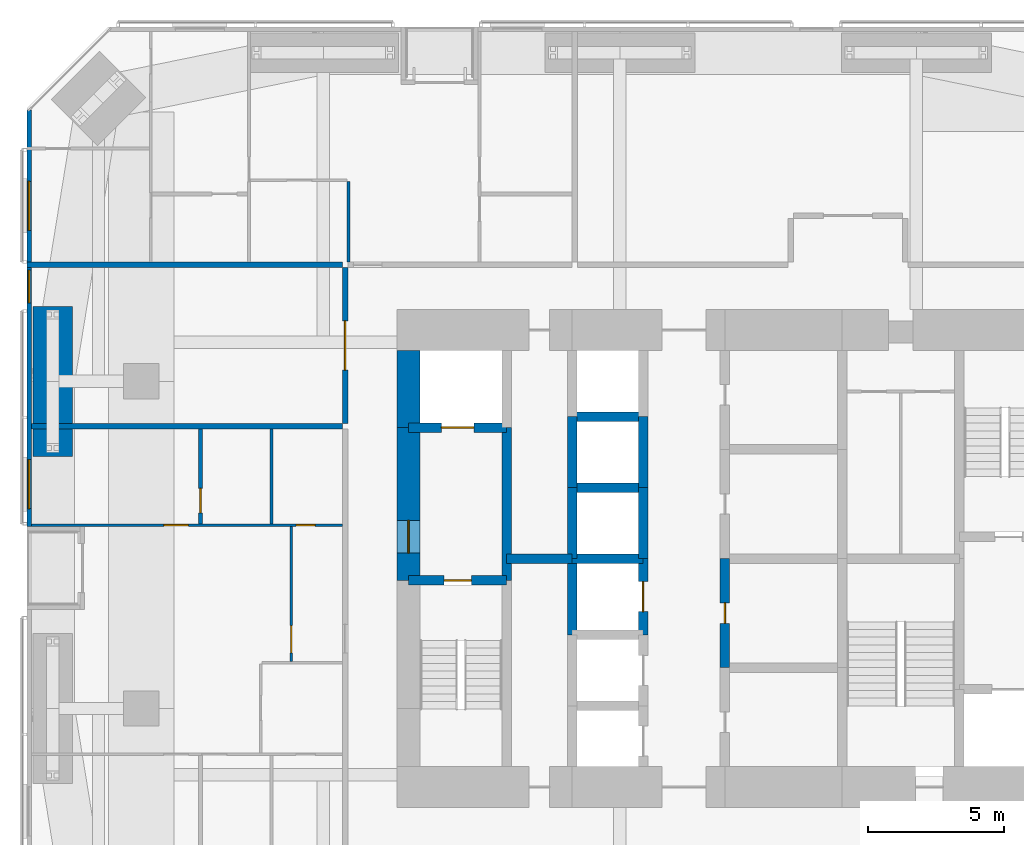
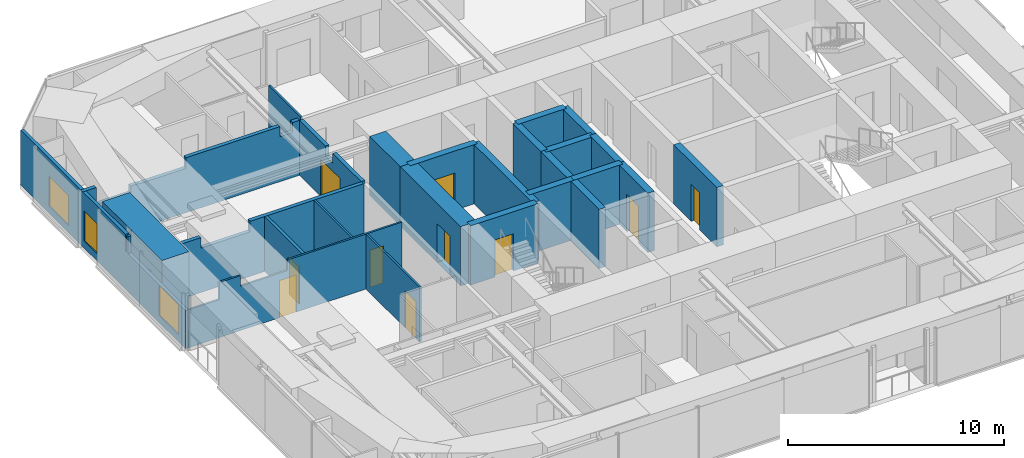
# One storey, part 19 of 24: 26 walls, 10 doors, 3 windows, 13 openings.
"""IFC4 building model written with IfcOpenShell, lengths in metres."""

from ifc_helpers import new_model, si_unit, direction, frame, frame_2d, origin, place, context, subcontext, project, spatial, polyline, rectangle, outline, extrude, material, layer, layer_set, constituent, constituent_set, type_object, element, fill, save


model = new_model("IFC4")

# Units and contexts
model_context = context("Model", 3, precision=1e-05, world=origin(), true_north=direction((0.0, 1.0)))
body_context = subcontext(model_context, "Body", "Model", "MODEL_VIEW")
ifc_project = project(units=[si_unit("LENGTHUNIT", "METRE"), si_unit("AREAUNIT", "SQUARE_METRE"), si_unit("VOLUMEUNIT", "CUBIC_METRE"), si_unit("PLANEANGLEUNIT", "RADIAN"), si_unit("MASSUNIT", "GRAM", prefix="KILO")], contexts=[model_context])

# Site, building, storey
site_placement = place(None, origin())
site = spatial("IfcSite", under=ifc_project, at=site_placement, CompositionType="ELEMENT")
building_placement = place(site_placement, origin())
building = spatial("IfcBuilding", under=site, at=building_placement, Name="Jalousie Tower", CompositionType="ELEMENT")
storey_placement = place(building_placement, frame((0.0, 0.0, 135.0)))
storey = spatial("IfcBuildingStorey", under=building, at=storey_placement, Name="L37", CompositionType="ELEMENT", Elevation=135.0)

# Wall, opening, door
ifc_material_1 = material(Name="Concrete block ASTM C90", Category="concrete")
ifc_constituent_1 = constituent(ifc_material_1, Name="Body")
ifc_material_2 = material(Name="Render")
ifc_constituent_2 = constituent(ifc_material_2, Name="Finish")
ifc_constituent_set_1 = constituent_set(constituents=[ifc_constituent_1, ifc_constituent_2])
wall_type_1 = type_object("IfcWallType", Name="BATHROOM WALL 150", PredefinedType="PLUMBINGWALL", material=ifc_constituent_set_1)
wall_1_placement = place(storey_placement, frame((12.375, 19.77490234375, 0.0), z_axis=(0.0, 0.0, 1.0), x_axis=(0.0, 1.0, 0.0)))
wall_1 = element("IfcWall", 1, at=wall_1_placement, inside=storey, type_object=wall_type_1, Name="Bathroom Wall 150 L37", PredefinedType="PLUMBINGWALL", context=body_context, shape_type="SweptSolid", body=[
    extrude(rectangle(XDim=3.47509765625, YDim=0.14990234375, at=frame_2d((1.737548828125, 0.0))), origin(), (0.0, 0.0, 1.0), 3.110107421875),
])
opening_1_placement = place(wall_1_placement, frame((0.39990234375, 0.0, 0.0)))
opening_1 = element("IfcOpeningElement", 2, at=opening_1_placement, cuts=wall_1, Name="Opening D3", PredefinedType="OPENING", context=body_context, shape_type="SweptSolid", body=[
    extrude(rectangle(XDim=0.89990234375, YDim=2.10009765625, at=frame_2d((0.449951171875, 1.050048828125))), frame((0.0, 0.0849609375, 0.0), z_axis=(0.0, -1.0, 0.0), x_axis=(1.0, 0.0, 0.0)), (0.0, 0.0, 1.0), 0.169921875),
])
ifc_material_3 = material(Name="Timber door", Category="wood")
door_type_1 = type_object("IfcDoorType", Name="BATHROOM DOOR 900", OperationType="SINGLE_SWING_LEFT", PredefinedType="DOOR", material=ifc_material_3)
door_1_placement = place(opening_1_placement, frame((0.89990234375, 0.0, 0.0), z_axis=(0.0, 0.0, 1.0), x_axis=(-1.0, 0.0, 0.0)))
door_1 = element("IfcDoor", 3, at=door_1_placement, inside=storey, type_object=door_type_1, Name="Apartment 3704 bedroom 2 bathroom door", OperationType="SINGLE_SWING_RIGHT", OverallHeight=2.10009765625, OverallWidth=0.89990234375, PredefinedType="DOOR", context=body_context, shape_type="SweptSolid", body=[
    extrude(rectangle(XDim=0.89990234375, YDim=2.10009765625, at=frame_2d((0.449951171875, 1.050048828125))), frame((0.0, 0.02490234375, 0.0), z_axis=(0.0, -1.0, 0.0), x_axis=(1.0, 0.0, 0.0)), (0.0, 0.0, 1.0), 0.050048828125),
])
fill(opening_1, door_1)

# Walls
ifc_material_4 = material(Name="Concrete f'c 120 MPa", Category="concrete")
ifc_layer_1 = layer(ifc_material_4, 0.35009765625)
ifc_layer_set_1 = layer_set([ifc_layer_1], Name="Concrete f'c 120 MPa")
wall_type_2 = type_object("IfcWallType", Name="CORE WALL 350", PredefinedType="SHEAR", material=ifc_layer_set_1)
wall_2_placement = place(storey_placement, frame((23.60009765625, 17.699951171875, 0.0), z_axis=(0.0, 0.0, 1.0), x_axis=(0.0, 1.0, 0.0)))
element("IfcWall", 4, at=wall_2_placement, inside=storey, type_object=wall_type_2, Name="Core wall X23.6B L37", PredefinedType="SHEAR", context=body_context, shape_type="SweptSolid", body=[
    extrude(rectangle(XDim=5.60009765625, YDim=0.35009765625, at=frame_2d((2.800048828125, 0.0))), origin(), (0.0, 0.0, 1.0), 3.35009765625),
])
wall_3_placement = place(storey_placement, frame((26.0, 15.699951171875, 0.0), z_axis=(0.0, 0.0, 1.0), x_axis=(0.0, 1.0, 0.0)))
element("IfcWall", 5, at=wall_3_placement, inside=storey, type_object=wall_type_2, Name="Core wall X26C L37", PredefinedType="SHEAR", context=body_context, shape_type="SweptSolid", body=[
    extrude(rectangle(XDim=2.800048828125, YDim=0.35009765625, at=frame_2d((1.39990234375, 0.0))), origin(), (0.0, 0.0, 1.0), 3.35009765625),
])
wall_4_placement = place(storey_placement, frame((26.0, 18.5, 0.0), z_axis=(0.0, 0.0, 1.0), x_axis=(0.0, 1.0, 0.0)))
element("IfcWall", 6, at=wall_4_placement, inside=storey, type_object=wall_type_2, Name="Core wall X26D L37", PredefinedType="SHEAR", context=body_context, shape_type="SweptSolid", body=[
    extrude(rectangle(XDim=2.60009765625, YDim=0.35009765625, at=frame_2d((1.300048828125, 0.0))), origin(), (0.0, 0.0, 1.0), 3.35009765625),
])
wall_5_placement = place(storey_placement, frame((26.0, 21.10009765625, 0.0), z_axis=(0.0, 0.0, 1.0), x_axis=(0.0, 1.0, 0.0)))
element("IfcWall", 7, at=wall_5_placement, inside=storey, type_object=wall_type_2, Name="Core wall X26E L37", PredefinedType="SHEAR", context=body_context, shape_type="SweptSolid", body=[
    extrude(rectangle(XDim=2.599853515625, YDim=0.35009765625, at=frame_2d((1.2998046875, 0.0))), origin(), (0.0, 0.0, 1.0), 3.35009765625),
])

# Wall, opening, door
wall_6_placement = place(storey_placement, frame((28.60009765625, 15.699951171875, 0.0), z_axis=(0.0, 0.0, 1.0), x_axis=(0.0, 1.0, 0.0)))
wall_6 = element("IfcWall", 8, at=wall_6_placement, inside=storey, type_object=wall_type_2, Name="Core wall X28.6C L37", PredefinedType="SHEAR", context=body_context, shape_type="SweptSolid", body=[
    extrude(rectangle(XDim=2.800048828125, YDim=0.35009765625, at=frame_2d((1.39990234375, 0.0))), origin(), (0.0, 0.0, 1.0), 3.35009765625),
])
opening_2_placement = place(wall_6_placement, frame((0.85009765625, 0.0, 0.0)))
opening_2 = element("IfcOpeningElement", 9, at=opening_2_placement, cuts=wall_6, Name="Opening LD1", PredefinedType="OPENING", context=body_context, shape_type="SweptSolid", body=[
    extrude(rectangle(XDim=1.10009765625, YDim=2.10009765625, at=frame_2d((0.550048828125, 1.050048828125))), frame((0.0, 0.18505859375, 0.0), z_axis=(0.0, -1.0, 0.0), x_axis=(1.0, 0.0, 0.0)), (0.0, 0.0, 1.0), 0.3701171875),
])
ifc_material_5 = material(Name="Steel lift landing door", Category="steel")
door_type_2 = type_object("IfcDoorType", Name="LIFT LANDING DOOR 1100", OperationType="SLIDING_TO_LEFT", PredefinedType="DOOR", material=ifc_material_5)
door_2_placement = place(opening_2_placement, origin())
door_2 = element("IfcDoor", 10, at=door_2_placement, inside=storey, type_object=door_type_2, Name="Lift P3 landing door", OperationType="SLIDING_TO_LEFT", OverallHeight=2.10009765625, OverallWidth=1.10009765625, PredefinedType="DOOR", context=body_context, shape_type="SweptSolid", body=[
    extrude(rectangle(XDim=1.10009765625, YDim=2.10009765625, at=frame_2d((0.550048828125, 1.050048828125))), frame((0.0, 0.02490234375, 0.0), z_axis=(0.0, -1.0, 0.0), x_axis=(1.0, 0.0, 0.0)), (0.0, 0.0, 1.0), 0.050048828125),
])
fill(opening_2, door_2)

# Walls
wall_7_placement = place(storey_placement, frame((28.60009765625, 18.5, 0.0), z_axis=(0.0, 0.0, 1.0), x_axis=(0.0, 1.0, 0.0)))
element("IfcWall", 11, at=wall_7_placement, inside=storey, type_object=wall_type_2, Name="Core wall X28.6D L37", PredefinedType="SHEAR", context=body_context, shape_type="SweptSolid", body=[
    extrude(rectangle(XDim=2.60009765625, YDim=0.35009765625, at=frame_2d((1.300048828125, 0.0))), origin(), (0.0, 0.0, 1.0), 3.35009765625),
])
wall_8_placement = place(storey_placement, frame((28.60009765625, 21.10009765625, 0.0), z_axis=(0.0, 0.0, 1.0), x_axis=(0.0, 1.0, 0.0)))
element("IfcWall", 12, at=wall_8_placement, inside=storey, type_object=wall_type_2, Name="Core wall X28.6E L37", PredefinedType="SHEAR", context=body_context, shape_type="SweptSolid", body=[
    extrude(rectangle(XDim=2.599853515625, YDim=0.35009765625, at=frame_2d((1.2998046875, 0.0))), origin(), (0.0, 0.0, 1.0), 3.35009765625),
])

# Wall, opening, door
wall_9_placement = place(storey_placement, frame((31.60009765625, 14.5, 0.0), z_axis=(0.0, 0.0, 1.0), x_axis=(0.0, 1.0, 0.0)))
wall_9 = element("IfcWall", 13, at=wall_9_placement, inside=storey, type_object=wall_type_2, Name="Core wall X31.6B L37", PredefinedType="SHEAR", context=body_context, shape_type="SweptSolid", body=[
    extrude(rectangle(XDim=4.0, YDim=0.35009765625, at=frame_2d((2.0, 0.0))), origin(), (0.0, 0.0, 1.0), 3.35009765625),
])
opening_3_placement = place(wall_9_placement, frame((1.625, 0.0, 0.0)))
opening_3 = element("IfcOpeningElement", 14, at=opening_3_placement, cuts=wall_9, Name="Opening D16", PredefinedType="OPENING", context=body_context, shape_type="SweptSolid", body=[
    extrude(rectangle(XDim=0.75, YDim=2.10009765625, at=frame_2d((0.375, 1.050048828125))), frame((0.0, 0.18505859375, 0.0), z_axis=(0.0, -1.0, 0.0), x_axis=(1.0, 0.0, 0.0)), (0.0, 0.0, 1.0), 0.3701171875),
])
ifc_material_6 = material(Name="Steel fire door", Category="steel")
door_type_3 = type_object("IfcDoorType", Name="RISER DOOR 750", OperationType="SINGLE_SWING_LEFT", PredefinedType="DOOR", material=ifc_material_6)
door_3_placement = place(opening_3_placement, frame((0.75, 0.0, 0.0), z_axis=(0.0, 0.0, 1.0), x_axis=(-1.0, 0.0, 0.0)))
door_3 = element("IfcDoor", 15, at=door_3_placement, inside=storey, type_object=door_type_3, Name="Electrical Room door", OperationType="SINGLE_SWING_RIGHT", OverallHeight=2.10009765625, OverallWidth=0.75, PredefinedType="DOOR", context=body_context, shape_type="SweptSolid", body=[
    extrude(rectangle(XDim=0.75, YDim=2.10009765625, at=frame_2d((0.375, 1.050048828125))), frame((0.0, 0.02490234375, 0.0), z_axis=(0.0, -1.0, 0.0), x_axis=(1.0, 0.0, 0.0)), (0.0, 0.0, 1.0), 0.050048828125),
])
fill(opening_3, door_3)

wall_10_placement = place(storey_placement, frame((20.0, 17.699951171875, 0.0), z_axis=(0.0, 0.0, 1.0), x_axis=(1.0, 0.0, 0.0)))
wall_10 = element("IfcWall", 16, at=wall_10_placement, inside=storey, type_object=wall_type_2, Name="Core wall Y20-17.7 L37", PredefinedType="SHEAR", context=body_context, shape_type="SweptSolid", body=[
    extrude(rectangle(XDim=3.60009765625, YDim=0.35009765625, at=frame_2d((1.800048828125, 0.0))), origin(), (0.0, 0.0, 1.0), 3.35009765625),
])
opening_4_placement = place(wall_10_placement, frame((1.300048828125, 0.0, 0.0)))
opening_4 = element("IfcOpeningElement", 17, at=opening_4_placement, cuts=wall_10, Name="Opening D10", PredefinedType="OPENING", context=body_context, shape_type="SweptSolid", body=[
    extrude(rectangle(XDim=1.0, YDim=2.10009765625, at=frame_2d((0.5, 1.050048828125))), frame((0.0, 0.18505859375, 0.0), z_axis=(0.0, -1.0, 0.0), x_axis=(1.0, 0.0, 0.0)), (0.0, 0.0, 1.0), 0.3701171875),
])
ifc_material_7 = material(Name="Steel fire door", Category="steel")
door_type_4 = type_object("IfcDoorType", Name="STAIR DOOR 1000", OperationType="SINGLE_SWING_LEFT", PredefinedType="DOOR", material=ifc_material_7)
door_4_placement = place(opening_4_placement, frame((1.0, 0.0, 0.0), z_axis=(0.0, 0.0, 1.0), x_axis=(-1.0, 0.0, 0.0)))
door_4 = element("IfcDoor", 18, at=door_4_placement, inside=storey, type_object=door_type_4, Name="Exit stair A door", OperationType="SINGLE_SWING_RIGHT", OverallHeight=2.10009765625, OverallWidth=1.0, PredefinedType="DOOR", context=body_context, shape_type="SweptSolid", body=[
    extrude(rectangle(XDim=1.0, YDim=2.10009765625, at=frame_2d((0.5, 1.050048828125))), frame((0.0, 0.02490234375, 0.0), z_axis=(0.0, -1.0, 0.0), x_axis=(1.0, 0.0, 0.0)), (0.0, 0.0, 1.0), 0.050048828125),
])
fill(opening_4, door_4)

wall_11_placement = place(storey_placement, frame((20.0, 23.300048828125, 0.0), z_axis=(0.0, 0.0, 1.0), x_axis=(1.0, 0.0, 0.0)))
wall_11 = element("IfcWall", 19, at=wall_11_placement, inside=storey, type_object=wall_type_2, Name="Core wall Y20-23.3 L37", PredefinedType="SHEAR", context=body_context, shape_type="SweptSolid", body=[
    extrude(rectangle(XDim=3.60009765625, YDim=0.35009765625, at=frame_2d((1.800048828125, 0.0))), origin(), (0.0, 0.0, 1.0), 3.35009765625),
])
opening_5_placement = place(wall_11_placement, frame((1.199951171875, 0.0, 0.0)))
opening_5 = element("IfcOpeningElement", 20, at=opening_5_placement, cuts=wall_11, Name="Opening LD2", PredefinedType="OPENING", context=body_context, shape_type="SweptSolid", body=[
    extrude(rectangle(XDim=1.199951171875, YDim=2.10009765625, at=frame_2d((0.60009765625, 1.050048828125))), frame((0.0, 0.18505859375, 0.0), z_axis=(0.0, -1.0, 0.0), x_axis=(1.0, 0.0, 0.0)), (0.0, 0.0, 1.0), 0.3701171875),
])
ifc_material_8 = material(Name="Steel lift landing door", Category="steel")
door_type_5 = type_object("IfcDoorType", Name="LIFT LANDING DOOR 1200", OperationType="SLIDING_TO_LEFT", PredefinedType="DOOR", material=ifc_material_8)
door_5_placement = place(opening_5_placement, origin())
door_5 = element("IfcDoor", 21, at=door_5_placement, inside=storey, type_object=door_type_5, Name="Lift F1 landing door", OperationType="SLIDING_TO_LEFT", OverallHeight=2.10009765625, OverallWidth=1.199951171875, PredefinedType="DOOR", context=body_context, shape_type="SweptSolid", body=[
    extrude(rectangle(XDim=1.199951171875, YDim=2.10009765625, at=frame_2d((0.60009765625, 1.050048828125))), frame((0.0, 0.02490234375, 0.0), z_axis=(0.0, -1.0, 0.0), x_axis=(1.0, 0.0, 0.0)), (0.0, 0.0, 1.0), 0.050048828125),
])
fill(opening_5, door_5)

# Walls
wall_12_placement = place(storey_placement, frame((23.60009765625, 18.5, 0.0), z_axis=(0.0, 0.0, 1.0), x_axis=(1.0, 0.0, 0.0)))
element("IfcWall", 22, at=wall_12_placement, inside=storey, type_object=wall_type_2, Name="Core wall Y23.6-18.5 L37", PredefinedType="SHEAR", context=body_context, shape_type="SweptSolid", body=[
    extrude(rectangle(XDim=2.39990234375, YDim=0.35009765625, at=frame_2d((1.199951171875, 0.0))), origin(), (0.0, 0.0, 1.0), 3.35009765625),
])
for number, where, z_axis, x_axis, name in (
    (23, (26.0, 18.5, 0.0), (0.0, 0.0, 1.0), (1.0, 0.0, 0.0), "Core wall Y26-18.5 L37"),
    (24, (26.0, 21.10009765625, 0.0), (0.0, 0.0, 1.0), (1.0, 0.0, 0.0), "Core wall Y26-21.1 L37"),
    (25, (26.0, 23.699951171875, 0.0), (0.0, 0.0, 1.0), (1.0, 0.0, 0.0), "Core wall Y26-23.7 L37"),
):
    element("IfcWall", number, at=place(storey_placement, frame(where, z_axis=z_axis, x_axis=x_axis)), inside=storey, type_object=wall_type_2, Name=name, PredefinedType="SHEAR", context=body_context, shape_type="SweptSolid", body=[
        extrude(rectangle(XDim=2.60009765625, YDim=0.35009765625, at=frame_2d((1.300048828125, 0.0))), origin(), (0.0, 0.0, 1.0), 3.35009765625),
    ])
ifc_material_9 = material(Name="Concrete f'c 120 MPa", Category="concrete")
ifc_layer_2 = layer(ifc_material_9, 0.85009765625)
ifc_layer_set_2 = layer_set([ifc_layer_2], Name="Concrete f'c 120 MPa")
wall_type_3 = type_object("IfcWallType", Name="CORE WALL 850", PredefinedType="SHEAR", material=ifc_layer_set_2)
wall_13_placement = place(storey_placement, frame((20.0, 26.125, 0.0), z_axis=(0.0, 0.0, 1.0), x_axis=(0.0, -1.0, 0.0)))
element("IfcWall", 26, at=wall_13_placement, inside=storey, type_object=wall_type_3, Name="Core wall WA L37", PredefinedType="SHEAR", context=body_context, shape_type="SweptSolid", body=[
    extrude(rectangle(XDim=2.824951171875, YDim=0.85009765625, at=frame_2d((1.41259765625, 0.0))), origin(), (0.0, 0.0, 1.0), 3.35009765625),
])

# Wall, opening, door
wall_14_placement = place(storey_placement, frame((20.0, 23.300048828125, 0.0), z_axis=(0.0, 0.0, 1.0), x_axis=(0.0, -1.0, 0.0)))
wall_14 = element("IfcWall", 27, at=wall_14_placement, inside=storey, type_object=wall_type_3, Name="Core wall WB L37", PredefinedType="SHEAR", context=body_context, shape_type="SweptSolid", body=[
    extrude(rectangle(XDim=5.60009765625, YDim=0.85009765625, at=frame_2d((2.800048828125, 0.0))), origin(), (0.0, 0.0, 1.0), 3.35009765625),
])
opening_6_placement = place(wall_14_placement, frame((3.39990234375, 0.0, 0.0)))
opening_6 = element("IfcOpeningElement", 28, at=opening_6_placement, cuts=wall_14, Name="Opening D11", PredefinedType="OPENING", context=body_context, shape_type="SweptSolid", body=[
    extrude(rectangle(XDim=1.199951171875, YDim=2.199951171875, at=frame_2d((0.60009765625, 1.10009765625))), frame((0.0, 0.43505859375, 0.0), z_axis=(0.0, -1.0, 0.0), x_axis=(1.0, 0.0, 0.0)), (0.0, 0.0, 1.0), 0.8701171875),
])
ifc_material_10 = material(Name="Steel fire door", Category="steel")
door_type_6 = type_object("IfcDoorType", Name="FIRE DOOR 1200", OperationType="SINGLE_SWING_LEFT", PredefinedType="DOOR", material=ifc_material_10)
door_6_placement = place(opening_6_placement, origin())
door_6 = element("IfcDoor", 29, at=door_6_placement, inside=storey, type_object=door_type_6, Name="Fire-fighting lobby A door", OperationType="SINGLE_SWING_RIGHT", OverallHeight=2.199951171875, OverallWidth=1.199951171875, PredefinedType="DOOR", context=body_context, shape_type="SweptSolid", body=[
    extrude(rectangle(XDim=1.199951171875, YDim=2.199951171875, at=frame_2d((0.60009765625, 1.10009765625))), frame((0.0, 0.02490234375, 0.0), z_axis=(0.0, -1.0, 0.0), x_axis=(1.0, 0.0, 0.0)), (0.0, 0.0, 1.0), 0.050048828125),
])
fill(opening_6, door_6)

ifc_material_11 = material(Name="Concrete block ASTM C90", Category="concrete")
ifc_constituent_3 = constituent(ifc_material_11, Name="Body")
ifc_material_12 = material(Name="Render")
ifc_constituent_4 = constituent(ifc_material_12, Name="Finish")
ifc_constituent_set_2 = constituent_set(constituents=[ifc_constituent_3, ifc_constituent_4])
wall_type_4 = type_object("IfcWallType", Name="CORRIDOR WALL 200", PredefinedType="PARTITIONING", material=ifc_constituent_set_2)
wall_15_placement = place(storey_placement, frame((17.675048828125, 23.449951171875, 0.0), z_axis=(0.0, 0.0, 1.0), x_axis=(0.0, 1.0, 0.0)))
wall_15 = element("IfcWall", 30, at=wall_15_placement, inside=storey, type_object=wall_type_4, Name="Corridor Wall 200 L37", PredefinedType="PARTITIONING", context=body_context, shape_type="SweptSolid", body=[
    extrude(outline(polyline([(0.0, 0.0), (5.72509765625, 0.0), (5.72509765625, 3.110107421875), (3.312255859375, 3.110107421875), (3.312255859375, 2.541015625), (2.6376953125, 2.541015625), (2.6376953125, 3.110107421875), (0.0, 3.110107421875), (0.0, 0.0)])), frame((0.0, 0.10009765625, 0.0), z_axis=(0.0, -1.0, 0.0), x_axis=(1.0, 0.0, 0.0)), (0.0, 0.0, 1.0), 0.199951171875),
])
opening_7_placement = place(wall_15_placement, frame((1.96240234375, 0.0, 0.0)))
opening_7 = element("IfcOpeningElement", 31, at=opening_7_placement, cuts=wall_15, Name="Opening D22", PredefinedType="OPENING", context=body_context, shape_type="SweptSolid", body=[
    extrude(rectangle(XDim=1.800048828125, YDim=2.10009765625, at=frame_2d((0.89990234375, 1.050048828125))), frame((0.0, 0.10986328125, 0.0), z_axis=(0.0, -1.0, 0.0), x_axis=(1.0, 0.0, 0.0)), (0.0, 0.0, 1.0), 0.219970703125),
])
ifc_material_13 = material(Name="Timber fire door", Category="wood")
door_type_7 = type_object("IfcDoorType", Name="CORRIDOR DOUBLE DOOR 1800", OperationType="DOUBLE_DOOR_SINGLE_SWING", PredefinedType="DOOR", material=ifc_material_13)
door_7_placement = place(opening_7_placement, origin())
door_7 = element("IfcDoor", 32, at=door_7_placement, inside=storey, type_object=door_type_7, Name="Residents' lounge door", OperationType="DOUBLE_DOOR_SINGLE_SWING", OverallHeight=2.10009765625, OverallWidth=1.800048828125, PredefinedType="DOOR", context=body_context, shape_type="SweptSolid", body=[
    extrude(rectangle(XDim=1.800048828125, YDim=2.10009765625, at=frame_2d((0.89990234375, 1.050048828125))), frame((0.0, 0.02490234375, 0.0), z_axis=(0.0, -1.0, 0.0), x_axis=(1.0, 0.0, 0.0)), (0.0, 0.0, 1.0), 0.050048828125),
])
fill(opening_7, door_7)

# Wall, openings, windows
ifc_material_14 = material(Name="Concrete f'c 40 MPa", Category="concrete")
ifc_constituent_5 = constituent(ifc_material_14, Name="Body")
ifc_material_15 = material(Name="Render, pastel sea green")
ifc_constituent_6 = constituent(ifc_material_15, Name="Finish")
ifc_constituent_set_3 = constituent_set(constituents=[ifc_constituent_5, ifc_constituent_6])
wall_type_5 = type_object("IfcWallType", Name="EXTERNAL WALL 175 SEA GREEN RENDER", PredefinedType="SOLIDWALL", material=ifc_constituent_set_3)
wall_16_placement = place(storey_placement, frame((6.08740234375, 34.94873046875, 0.0), z_axis=(0.0, 0.0, 1.0), x_axis=(0.0, -1.0, 0.0)))
wall_16 = element("IfcWall", 33, at=wall_16_placement, inside=storey, type_object=wall_type_5, Name="External Wall 175 Sea Green Render L37", PredefinedType="SOLIDWALL", context=body_context, shape_type="SweptSolid", body=[
    extrude(outline(polyline([(0.0, 0.0), (15.273681640625, 0.0), (15.273681640625, 2.14990234375), (9.94873046875, 2.14990234375), (9.94873046875, 3.110107421875), (9.822998046875, 3.110107421875), (9.822998046875, 2.14990234375), (9.72998046875, 2.14990234375), (9.72998046875, 3.110107421875), (0.0, 3.110107421875), (0.0, 0.0)])), frame((0.0, 0.08740234375, 0.0), z_axis=(0.0, -1.0, 0.0), x_axis=(1.0, 0.0, 0.0)), (0.0, 0.0, 1.0), 0.175048828125),
])
opening_8_placement = place(wall_16_placement, frame((2.6181640625, 0.0, 0.39990234375)))
opening_8 = element("IfcOpeningElement", 34, at=opening_8_placement, cuts=wall_16, Name="Opening W-BED170", PredefinedType="OPENING", context=body_context, shape_type="SweptSolid", body=[
    extrude(rectangle(XDim=1.800048828125, YDim=1.699951171875, at=frame_2d((0.89990234375, 0.85009765625))), frame((0.0, 0.097412109375, 0.0), z_axis=(0.0, -1.0, 0.0), x_axis=(1.0, 0.0, 0.0)), (0.0, 0.0, 1.0), 0.195068359375),
])
opening_9_placement = place(wall_16_placement, frame((5.8740234375, 0.0, 0.39990234375)))
opening_9 = element("IfcOpeningElement", 35, at=opening_9_placement, cuts=wall_16, Name="Opening W-COR170", PredefinedType="OPENING", context=body_context, shape_type="SweptSolid", body=[
    extrude(rectangle(XDim=1.199951171875, YDim=1.699951171875, at=frame_2d((0.60009765625, 0.85009765625))), frame((0.0, 0.097412109375, 0.0), z_axis=(0.0, -1.0, 0.0), x_axis=(1.0, 0.0, 0.0)), (0.0, 0.0, 1.0), 0.195068359375),
])
opening_10_placement = place(wall_16_placement, frame((12.818603515625, 0.0, 0.39990234375)))
opening_10 = element("IfcOpeningElement", 36, at=opening_10_placement, cuts=wall_16, Name="Opening W-BED170", PredefinedType="OPENING", context=body_context, shape_type="SweptSolid", body=[
    extrude(rectangle(XDim=1.800048828125, YDim=1.699951171875, at=frame_2d((0.89990234375, 0.85009765625))), frame((0.0, 0.097412109375, 0.0), z_axis=(0.0, -1.0, 0.0), x_axis=(1.0, 0.0, 0.0)), (0.0, 0.0, 1.0), 0.195068359375),
])
ifc_material_16 = material(Name="Aluminium frame, impact-rated glazing", Category="aluminium")
window_type_1 = type_object("IfcWindowType", Name="WINDOW BED 1800x1700", PartitioningType="SINGLE_PANEL", PredefinedType="WINDOW", material=ifc_material_16)
window_1_placement = place(opening_8_placement, origin())
window_1 = element("IfcWindow", 37, at=window_1_placement, inside=storey, type_object=window_type_1, Name="Apartment 3703 bedroom 1 window", OverallHeight=1.699951171875, OverallWidth=1.800048828125, PartitioningType="SINGLE_PANEL", PredefinedType="WINDOW", context=body_context, shape_type="SweptSolid", body=[
    extrude(rectangle(XDim=1.800048828125, YDim=1.699951171875, at=frame_2d((0.89990234375, 0.85009765625))), frame((0.0, 0.030029296875, 0.0), z_axis=(0.0, -1.0, 0.0), x_axis=(1.0, 0.0, 0.0)), (0.0, 0.0, 1.0), 0.06005859375),
])
fill(opening_8, window_1)
window_2_placement = place(opening_10_placement, origin())
window_2 = element("IfcWindow", 38, at=window_2_placement, inside=storey, type_object=window_type_1, Name="Apartment 3704 bedroom 2 window", OverallHeight=1.699951171875, OverallWidth=1.800048828125, PartitioningType="SINGLE_PANEL", PredefinedType="WINDOW", context=body_context, shape_type="SweptSolid", body=[
    extrude(rectangle(XDim=1.800048828125, YDim=1.699951171875, at=frame_2d((0.89990234375, 0.85009765625))), frame((0.0, 0.030029296875, 0.0), z_axis=(0.0, -1.0, 0.0), x_axis=(1.0, 0.0, 0.0)), (0.0, 0.0, 1.0), 0.06005859375),
])
fill(opening_10, window_2)
ifc_material_17 = material(Name="Aluminium frame, impact-rated glazing", Category="aluminium")
window_type_2 = type_object("IfcWindowType", Name="WINDOW COR 1200x1700", PartitioningType="SINGLE_PANEL", PredefinedType="WINDOW", material=ifc_material_17)
window_3_placement = place(opening_9_placement, origin())
window_3 = element("IfcWindow", 39, at=window_3_placement, inside=storey, type_object=window_type_2, Name="Residents' lounge window", OverallHeight=1.699951171875, OverallWidth=1.199951171875, PartitioningType="SINGLE_PANEL", PredefinedType="WINDOW", context=body_context, shape_type="SweptSolid", body=[
    extrude(rectangle(XDim=1.199951171875, YDim=1.699951171875, at=frame_2d((0.60009765625, 0.85009765625))), frame((0.0, 0.030029296875, 0.0), z_axis=(0.0, -1.0, 0.0), x_axis=(1.0, 0.0, 0.0)), (0.0, 0.0, 1.0), 0.06005859375),
])
fill(opening_9, window_3)

# Wall
ifc_material_18 = material(Name="Gypsum board", Category="gypsum")
ifc_constituent_7 = constituent(ifc_material_18, Name="Body")
ifc_material_19 = material(Name="Light-gauge steel studs ASTM A653 SS Grade 33", Category="steel")
ifc_constituent_8 = constituent(ifc_material_19, Name="Framing")
ifc_constituent_set_4 = constituent_set(constituents=[ifc_constituent_7, ifc_constituent_8])
wall_type_6 = type_object("IfcWallType", Name="PARTITION 100", PredefinedType="PARTITIONING", material=ifc_constituent_set_4)
wall_17_placement = place(storey_placement, frame((17.800048828125, 32.324951171875, 0.0), z_axis=(0.0, 0.0, 1.0), x_axis=(0.0, -1.0, 0.0)))
element("IfcWall", 40, at=wall_17_placement, inside=storey, type_object=wall_type_6, Name="Partition 100 L37", PredefinedType="PARTITIONING", context=body_context, shape_type="SweptSolid", body=[
    extrude(rectangle(XDim=2.949951171875, YDim=0.10009765625, at=frame_2d((1.47509765625, 0.0))), origin(), (0.0, 0.0, 1.0), 3.110107421875),
])

# Wall, openings, doors
wall_18_placement = place(storey_placement, frame((6.175048828125, 19.72509765625, 0.0), z_axis=(0.0, 0.0, 1.0), x_axis=(1.0, 0.0, 0.0)))
wall_18 = element("IfcWall", 41, at=wall_18_placement, inside=storey, type_object=wall_type_6, Name="Partition 100 L37", PredefinedType="PARTITIONING", context=body_context, shape_type="SweptSolid", body=[
    extrude(outline(polyline([(0.0, 0.0), (11.39990234375, 0.0), (11.39990234375, 3.110107421875), (5.284912109375, 3.110107421875), (5.284912109375, 2.510009765625), (2.764892578125, 2.510009765625), (2.764892578125, 3.110107421875), (1.635009765625, 3.110107421875), (1.635009765625, 2.14990234375), (0.0, 2.14990234375), (0.0, 3.110107421875), (0.0, 0.0)])), frame((0.0, 0.050048828125, 0.0), z_axis=(0.0, -1.0, 0.0), x_axis=(1.0, 0.0, 0.0)), (0.0, 0.0, 1.0), 0.10009765625),
])
opening_11_placement = place(wall_18_placement, frame((4.85009765625, 0.0, 0.0)))
opening_11 = element("IfcOpeningElement", 42, at=opening_11_placement, cuts=wall_18, Name="Opening D2", PredefinedType="OPENING", context=body_context, shape_type="SweptSolid", body=[
    extrude(rectangle(XDim=0.89990234375, YDim=2.10009765625, at=frame_2d((0.449951171875, 1.050048828125))), frame((0.0, 0.06005859375, 0.0), z_axis=(0.0, -1.0, 0.0), x_axis=(1.0, 0.0, 0.0)), (0.0, 0.0, 1.0), 0.1201171875),
])
opening_12_placement = place(wall_18_placement, frame((9.699951171875, 0.0, 0.0)))
opening_12 = element("IfcOpeningElement", 43, at=opening_12_placement, cuts=wall_18, Name="Opening D4", PredefinedType="OPENING", context=body_context, shape_type="SweptSolid", body=[
    extrude(rectangle(XDim=0.699951171875, YDim=2.10009765625, at=frame_2d((0.35009765625, 1.050048828125))), frame((0.0, 0.06005859375, 0.0), z_axis=(0.0, -1.0, 0.0), x_axis=(1.0, 0.0, 0.0)), (0.0, 0.0, 1.0), 0.1201171875),
])
ifc_material_20 = material(Name="Timber door", Category="wood")
door_type_8 = type_object("IfcDoorType", Name="BEDROOM DOOR 900", OperationType="SINGLE_SWING_LEFT", PredefinedType="DOOR", material=ifc_material_20)
door_8_placement = place(opening_11_placement, origin())
door_8 = element("IfcDoor", 44, at=door_8_placement, inside=storey, type_object=door_type_8, Name="Apartment 3704 bedroom 2 door", OperationType="SINGLE_SWING_RIGHT", OverallHeight=2.10009765625, OverallWidth=0.89990234375, PredefinedType="DOOR", context=body_context, shape_type="SweptSolid", body=[
    extrude(rectangle(XDim=0.89990234375, YDim=2.10009765625, at=frame_2d((0.449951171875, 1.050048828125))), frame((0.0, 0.02490234375, 0.0), z_axis=(0.0, -1.0, 0.0), x_axis=(1.0, 0.0, 0.0)), (0.0, 0.0, 1.0), 0.050048828125),
])
fill(opening_11, door_8)
ifc_material_21 = material(Name="Timber door", Category="wood")
door_type_9 = type_object("IfcDoorType", Name="STORE DOOR 700", OperationType="SINGLE_SWING_LEFT", PredefinedType="DOOR", material=ifc_material_21)
door_9_placement = place(opening_12_placement, origin())
door_9 = element("IfcDoor", 45, at=door_9_placement, inside=storey, type_object=door_type_9, Name="Apartment 3704 store door", OperationType="SINGLE_SWING_LEFT", OverallHeight=2.10009765625, OverallWidth=0.699951171875, PredefinedType="DOOR", context=body_context, shape_type="SweptSolid", body=[
    extrude(rectangle(XDim=0.699951171875, YDim=2.10009765625, at=frame_2d((0.35009765625, 1.050048828125))), frame((0.0, 0.02490234375, 0.0), z_axis=(0.0, -1.0, 0.0), x_axis=(1.0, 0.0, 0.0)), (0.0, 0.0, 1.0), 0.050048828125),
])
fill(opening_12, door_9)

# Wall
wall_19_placement = place(storey_placement, frame((14.97509765625, 19.77490234375, 0.0), z_axis=(0.0, 0.0, 1.0), x_axis=(0.0, 1.0, 0.0)))
element("IfcWall", 46, at=wall_19_placement, inside=storey, type_object=wall_type_6, Name="Partition 100 L37", PredefinedType="PARTITIONING", context=body_context, shape_type="SweptSolid", body=[
    extrude(rectangle(XDim=3.47509765625, YDim=0.10009765625, at=frame_2d((1.737548828125, 0.0))), origin(), (0.0, 0.0, 1.0), 3.110107421875),
])

# Wall, opening, door
wall_20_placement = place(storey_placement, frame((15.699951171875, 14.72509765625, 0.0), z_axis=(0.0, 0.0, 1.0), x_axis=(0.0, 1.0, 0.0)))
wall_20 = element("IfcWall", 47, at=wall_20_placement, inside=storey, type_object=wall_type_6, Name="Partition 100 L37", PredefinedType="PARTITIONING", context=body_context, shape_type="SweptSolid", body=[
    extrude(rectangle(XDim=4.949951171875, YDim=0.10009765625, at=frame_2d((2.47509765625, 0.0))), origin(), (0.0, 0.0, 1.0), 3.110107421875),
])
opening_13_placement = place(wall_20_placement, frame((0.3125, 0.0, 0.0)))
opening_13 = element("IfcOpeningElement", 48, at=opening_13_placement, cuts=wall_20, Name="Opening D6", PredefinedType="OPENING", context=body_context, shape_type="SweptSolid", body=[
    extrude(rectangle(XDim=1.0, YDim=2.10009765625, at=frame_2d((0.5, 1.050048828125))), frame((0.0, 0.06005859375, 0.0), z_axis=(0.0, -1.0, 0.0), x_axis=(1.0, 0.0, 0.0)), (0.0, 0.0, 1.0), 0.1201171875),
])
ifc_material_22 = material(Name="Timber door", Category="wood")
door_type_10 = type_object("IfcDoorType", Name="INTERNAL DOOR 1000", OperationType="SINGLE_SWING_LEFT", PredefinedType="DOOR", material=ifc_material_22)
door_10_placement = place(opening_13_placement, origin())
door_10 = element("IfcDoor", 49, at=door_10_placement, inside=storey, type_object=door_type_10, Name="Apartment 3704 hall door", OperationType="SINGLE_SWING_LEFT", OverallHeight=2.10009765625, OverallWidth=1.0, PredefinedType="DOOR", context=body_context, shape_type="SweptSolid", body=[
    extrude(rectangle(XDim=1.0, YDim=2.10009765625, at=frame_2d((0.5, 1.050048828125))), frame((0.0, 0.02490234375, 0.0), z_axis=(0.0, -1.0, 0.0), x_axis=(1.0, 0.0, 0.0)), (0.0, 0.0, 1.0), 0.050048828125),
])
fill(opening_13, door_10)

# Walls
ifc_material_23 = material(Name="Concrete block ASTM C90", Category="concrete")
ifc_constituent_9 = constituent(ifc_material_23, Name="Body")
ifc_material_24 = material(Name="Render")
ifc_constituent_10 = constituent(ifc_material_24, Name="Finish")
ifc_constituent_set_5 = constituent_set(constituents=[ifc_constituent_9, ifc_constituent_10])
wall_type_7 = type_object("IfcWallType", Name="PARTY WALL 200", PredefinedType="PARTITIONING", material=ifc_constituent_set_5)
wall_21_placement = place(storey_placement, frame((6.0, 29.27490234375, 0.0), z_axis=(0.0, 0.0, 1.0), x_axis=(1.0, 0.0, 0.0)))
element("IfcWall", 50, at=wall_21_placement, inside=storey, type_object=wall_type_7, Name="Party Wall 200 L37", PredefinedType="PARTITIONING", context=body_context, shape_type="SweptSolid", body=[
    extrude(outline(polyline([(0.0, 0.0), (11.574951171875, 0.0), (11.574951171875, 3.110107421875), (11.21240234375, 3.110107421875), (11.21240234375, 2.541015625), (10.53759765625, 2.541015625), (10.53759765625, 3.110107421875), (5.510009765625, 3.110107421875), (5.510009765625, 2.510009765625), (2.96875, 2.510009765625), (2.96875, 2.541015625), (2.565185546875, 2.541015625), (2.565185546875, 2.14990234375), (0.721435546875, 2.14990234375), (0.721435546875, 3.110107421875), (0.0, 3.110107421875), (0.0, 0.0)])), frame((0.0, 0.10009765625, 0.0), z_axis=(0.0, -1.0, 0.0), x_axis=(1.0, 0.0, 0.0)), (0.0, 0.0, 1.0), 0.199951171875),
])
wall_22_placement = place(storey_placement, frame((6.175048828125, 23.35009765625, 0.0), z_axis=(0.0, 0.0, 1.0), x_axis=(1.0, 0.0, 0.0)))
element("IfcWall", 51, at=wall_22_placement, inside=storey, type_object=wall_type_7, Name="Party Wall 200 L37", PredefinedType="PARTITIONING", context=body_context, shape_type="SweptSolid", body=[
    extrude(outline(polyline([(0.52880859375, 2.14990234375), (0.0, 2.14990234375), (0.0, 0.0), (0.52880859375, 0.0), (0.52880859375, 0.376220703125), (1.021240234375, 0.376220703125), (1.021240234375, 0.0), (11.39990234375, 0.0), (11.39990234375, 3.110107421875), (5.3349609375, 3.110107421875), (5.3349609375, 2.510009765625), (2.715087890625, 2.510009765625), (2.715087890625, 3.110107421875), (1.68505859375, 3.110107421875), (1.68505859375, 2.14990234375), (1.021240234375, 2.14990234375), (1.021240234375, 1.77392578125), (0.52880859375, 1.77392578125), (0.52880859375, 2.14990234375)])), frame((0.0, 0.10009765625, 0.0), z_axis=(0.0, -1.0, 0.0), x_axis=(1.0, 0.0, 0.0)), (0.0, 0.0, 1.0), 0.199951171875),
])
ifc_material_25 = material(Name="Concrete f'c 120 MPa", Category="concrete")
ifc_layer_3 = layer(ifc_material_25, 1.449951171875)
ifc_layer_set_3 = layer_set([ifc_layer_3], Name="Concrete f'c 120 MPa")
wall_type_8 = type_object("IfcWallType", Name="RC WALL PIER 1450", PredefinedType="SHEAR", material=ifc_layer_set_3)
wall_23_placement = place(storey_placement, frame((6.949951171875, 22.25, 0.0), z_axis=(0.0, 0.0, 1.0), x_axis=(0.0, 1.0, 0.0)))
element("IfcWall", 52, at=wall_23_placement, inside=storey, type_object=wall_type_8, Name="Wall pier 13 L37", PredefinedType="SHEAR", context=body_context, shape_type="SweptSolid", body=[
    extrude(rectangle(XDim=5.5, YDim=1.449951171875, at=frame_2d((2.75, 0.0))), origin(), (0.0, 0.0, 1.0), 3.35009765625),
])

save(model, "model.ifc")
